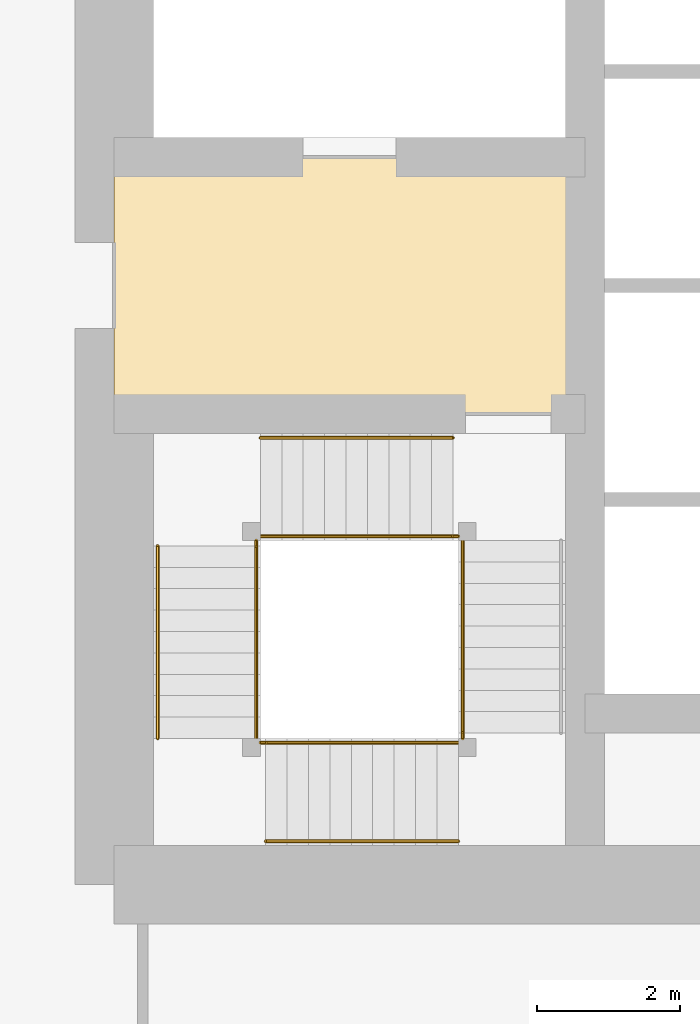
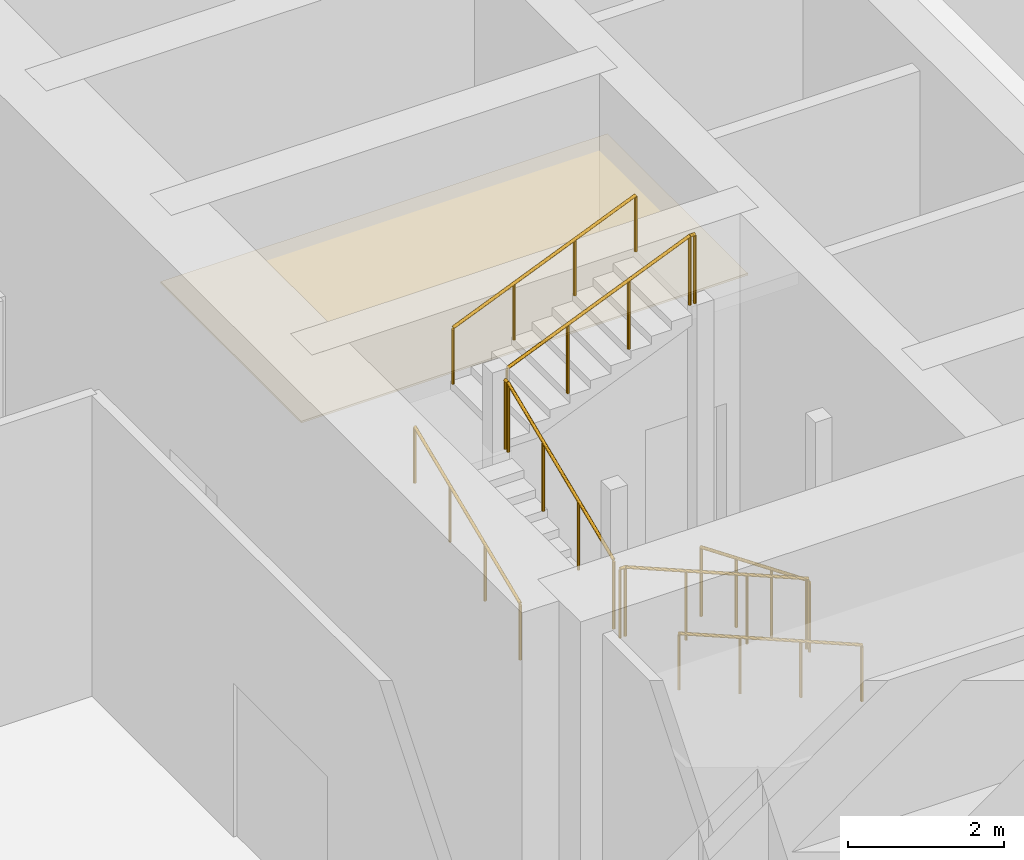
# One storey, part 42 of 49: 11 railings, 1 covering.
"""IFC4 building model written with IfcOpenShell, lengths in metres."""

from ifc_helpers import new_model, si_unit, direction, frame, origin, origin_2d, place, context, subcontext, project, spatial, polyline, circle, outline, extrude, material, layer, layer_set, type_object, element, save


model = new_model("IFC4")

# Units and contexts
model_context = context("Model", 3, precision=1e-05, world=origin(), true_north=direction((0.0, 1.0)))
body_context = subcontext(model_context, "Body", "Model", "MODEL_VIEW")
ifc_project = project(units=[si_unit("LENGTHUNIT", "METRE"), si_unit("AREAUNIT", "SQUARE_METRE"), si_unit("VOLUMEUNIT", "CUBIC_METRE"), si_unit("PLANEANGLEUNIT", "RADIAN"), si_unit("MASSUNIT", "GRAM", prefix="KILO")], contexts=[model_context])

# Site, building, storey
site_placement = place(None, origin())
site = spatial("IfcSite", under=ifc_project, at=site_placement, CompositionType="ELEMENT")
building_placement = place(site_placement, origin())
building = spatial("IfcBuilding", under=site, at=building_placement, Name="Rekha Terrace Tower", CompositionType="ELEMENT")
storey_placement = place(building_placement, frame((0.0, 0.0, 10.39990234375)))
storey = spatial("IfcBuildingStorey", under=building, at=storey_placement, Name="L02", CompositionType="ELEMENT", Elevation=10.39990234375)

# Covering
ifc_material_1 = material(Name="Powder-coated aluminium pan", Category="aluminium")
ifc_layer = layer(ifc_material_1, 0.030029296875)
ifc_layer_set = layer_set([ifc_layer], Name="Powder-coated aluminium pan")
covering_type = type_object("IfcCoveringType", Name="CL3 300x1200 metal pan ceiling", PredefinedType="CEILING", material=ifc_layer_set)
covering_placement = place(storey_placement, frame((0.0, 0.0, 3.77001953125)))
element("IfcCovering", 1, at=covering_placement, inside=storey, type_object=covering_type, Name="Ceiling L02-FLB1", PredefinedType="CEILING", context=body_context, shape_type="SweptSolid", body=[
    extrude(outline(polyline([(31.800048828125, 31.199951171875), (25.199951171875, 31.199951171875), (25.199951171875, 27.60009765625), (31.800048828125, 27.60009765625), (31.800048828125, 31.199951171875)])), origin(), (0.0, 0.0, 1.0), 0.030029296875),
])

# Railings
ifc_material_2 = material(Name="Stainless steel balustrade", Category="steel")
railing_type_1 = type_object("IfcRailingType", Name="GR1 1100 stair guard", PredefinedType="GUARDRAIL", material=ifc_material_2)
railing_1_placement = place(storey_placement, frame((30.0849609375, 25.824951171875, 0.125)))
element("IfcRailing", 2, at=railing_1_placement, inside=storey, type_object=railing_type_1, Name="Guard ST1 L02 flight 1", PredefinedType="GUARDRAIL", context=body_context, shape_type="SweptSolid", body=[
    extrude(circle(Radius=0.02392578125, at=origin_2d()), frame((0.0, 0.0, 1.076171875), z_axis=(0.0, -0.923074453586, 0.384621311341), x_axis=(1.0, 0.0, 0.0)), (0.0, 0.0, 1.0), 2.925048828125),
    extrude(circle(Radius=0.02099609375, at=origin_2d()), origin(), (0.0, 0.0, 1.0), 1.052001953125),
    extrude(circle(Radius=0.02099609375, at=origin_2d()), frame((0.0, -0.89990234375, 0.375)), (0.0, 0.0, 1.0), 1.052001953125),
    extrude(circle(Radius=0.02099609375, at=origin_2d()), frame((0.0, -1.800048828125, 0.75)), (0.0, 0.0, 1.0), 1.052001953125),
    extrude(circle(Radius=0.02099609375, at=origin_2d()), frame((0.0, -2.699951171875, 1.125)), (0.0, 0.0, 1.0), 1.052001953125),
])
railing_2_placement = place(storey_placement, frame((30.02490234375, 22.989990234375, 1.375)))
element("IfcRailing", 3, at=railing_2_placement, inside=storey, type_object=railing_type_1, Name="Guard ST1 L02 flight 2", PredefinedType="GUARDRAIL", context=body_context, shape_type="SweptSolid", body=[
    extrude(circle(Radius=0.02392578125, at=origin_2d()), frame((0.0, 0.0, 1.076171875), z_axis=(-0.923074453586, 0.0, 0.384621311341), x_axis=(0.0, -1.0, 0.0)), (0.0, 0.0, 1.0), 2.925048828125),
    extrude(circle(Radius=0.02099609375, at=origin_2d()), origin(), (0.0, 0.0, 1.0), 1.052001953125),
    extrude(circle(Radius=0.02099609375, at=origin_2d()), frame((-0.89990234375, 0.0, 0.375)), (0.0, 0.0, 1.0), 1.052001953125),
    extrude(circle(Radius=0.02099609375, at=origin_2d()), frame((-1.800048828125, 0.0, 0.75)), (0.0, 0.0, 1.0), 1.052001953125),
    extrude(circle(Radius=0.02099609375, at=origin_2d()), frame((-2.699951171875, 0.0, 1.125)), (0.0, 0.0, 1.0), 1.052001953125),
])
railing_3_placement = place(storey_placement, frame((27.18994140625, 23.050048828125, 2.625)))
element("IfcRailing", 4, at=railing_3_placement, inside=storey, type_object=railing_type_1, Name="Guard ST1 L02 flight 3", PredefinedType="GUARDRAIL", context=body_context, shape_type="SweptSolid", body=[
    extrude(circle(Radius=0.02392578125, at=origin_2d()), frame((0.0, 0.0, 1.076171875), z_axis=(0.0, 0.923074453586, 0.384621311341), x_axis=(-1.0, 0.0, 0.0)), (0.0, 0.0, 1.0), 2.925048828125),
    extrude(circle(Radius=0.02099609375, at=origin_2d()), origin(), (0.0, 0.0, 1.0), 1.052001953125),
    extrude(circle(Radius=0.02099609375, at=origin_2d()), frame((0.0, 0.89990234375, 0.375)), (0.0, 0.0, 1.0), 1.052001953125),
    extrude(circle(Radius=0.02099609375, at=origin_2d()), frame((0.0, 1.800048828125, 0.75)), (0.0, 0.0, 1.0), 1.052001953125),
    extrude(circle(Radius=0.02099609375, at=origin_2d()), frame((0.0, 2.699951171875, 1.125)), (0.0, 0.0, 1.0), 1.052001953125),
])
railing_4_placement = place(storey_placement, frame((27.25, 25.885009765625, 3.875)))
element("IfcRailing", 5, at=railing_4_placement, inside=storey, type_object=railing_type_1, Name="Guard ST1 L02 flight 4", PredefinedType="GUARDRAIL", context=body_context, shape_type="SweptSolid", body=[
    extrude(circle(Radius=0.02392578125, at=origin_2d()), frame((0.0, 0.0, 1.076171875), z_axis=(0.923074453586, 0.0, 0.384621311341), x_axis=(0.0, 1.0, 0.0)), (0.0, 0.0, 1.0), 2.925048828125),
    extrude(circle(Radius=0.02099609375, at=origin_2d()), origin(), (0.0, 0.0, 1.0), 1.052001953125),
    extrude(circle(Radius=0.02099609375, at=origin_2d()), frame((0.89990234375, 0.0, 0.375)), (0.0, 0.0, 1.0), 1.052001953125),
    extrude(circle(Radius=0.02099609375, at=origin_2d()), frame((1.800048828125, 0.0, 0.75)), (0.0, 0.0, 1.0), 1.052001953125),
    extrude(circle(Radius=0.02099609375, at=origin_2d()), frame((2.699951171875, 0.0, 1.125)), (0.0, 0.0, 1.0), 1.052001953125),
])
railing_5_placement = place(storey_placement, frame((30.0849609375, 23.125, 1.25)))
element("IfcRailing", 6, at=railing_5_placement, inside=storey, type_object=railing_type_1, Name="Guard ST1 L02 landing 1", PredefinedType="GUARDRAIL", context=body_context, shape_type="SweptSolid", body=[
    extrude(circle(Radius=0.02392578125, at=origin_2d()), frame((0.0, 0.0, 1.076171875), z_axis=(0.0, -1.0, 0.0), x_axis=(1.0, 0.0, 0.0)), (0.0, 0.0, 1.0), 0.074951171875),
    extrude(circle(Radius=0.02099609375, at=origin_2d()), origin(), (0.0, 0.0, 1.0), 1.052001953125),
    extrude(circle(Radius=0.02099609375, at=origin_2d()), frame((0.0, -0.074951171875, 0.0)), (0.0, 0.0, 1.0), 1.052001953125),
])
railing_6_placement = place(storey_placement, frame((27.324951171875, 22.989990234375, 2.5)))
element("IfcRailing", 7, at=railing_6_placement, inside=storey, type_object=railing_type_1, Name="Guard ST1 L02 landing 2", PredefinedType="GUARDRAIL", context=body_context, shape_type="SweptSolid", body=[
    extrude(circle(Radius=0.02392578125, at=origin_2d()), frame((0.0, 0.0, 1.076171875), z_axis=(-1.0, 0.0, 0.0), x_axis=(0.0, -1.0, 0.0)), (0.0, 0.0, 1.0), 0.074951171875),
    extrude(circle(Radius=0.02099609375, at=origin_2d()), origin(), (0.0, 0.0, 1.0), 1.052001953125),
    extrude(circle(Radius=0.02099609375, at=origin_2d()), frame((-0.074951171875, 0.0, 0.0)), (0.0, 0.0, 1.0), 1.052001953125),
])
railing_7_placement = place(storey_placement, frame((27.18994140625, 25.824951171875, 3.75)))
element("IfcRailing", 8, at=railing_7_placement, inside=storey, type_object=railing_type_1, Name="Guard ST1 L02 landing 3", PredefinedType="GUARDRAIL", context=body_context, shape_type="SweptSolid", body=[
    extrude(circle(Radius=0.02392578125, at=origin_2d()), frame((0.0, 0.0, 1.076171875), z_axis=(0.0, -1.0, 0.0), x_axis=(1.0, 0.0, 0.0)), (0.0, 0.0, 1.0), 0.074951171875),
    extrude(circle(Radius=0.02099609375, at=origin_2d()), origin(), (0.0, 0.0, 1.0), 1.052001953125),
    extrude(circle(Radius=0.02099609375, at=origin_2d()), frame((0.0, -0.074951171875, 0.0)), (0.0, 0.0, 1.0), 1.052001953125),
])
railing_8_placement = place(storey_placement, frame((30.02490234375, 25.885009765625, 5.0)))
element("IfcRailing", 9, at=railing_8_placement, inside=storey, type_object=railing_type_1, Name="Guard ST1 L02 landing 4", PredefinedType="GUARDRAIL", context=body_context, shape_type="SweptSolid", body=[
    extrude(circle(Radius=0.02392578125, at=origin_2d()), frame((0.0, 0.0, 1.076171875), z_axis=(-1.0, 0.0, 0.0), x_axis=(0.0, -1.0, 0.0)), (0.0, 0.0, 1.0), 0.074951171875),
    extrude(circle(Radius=0.02099609375, at=origin_2d()), origin(), (0.0, 0.0, 1.0), 1.052001953125),
    extrude(circle(Radius=0.02099609375, at=origin_2d()), frame((-0.074951171875, 0.0, 0.0)), (0.0, 0.0, 1.0), 1.052001953125),
])
ifc_material_3 = material(Name="Stainless steel tube", Category="steel")
railing_type_2 = type_object("IfcRailingType", Name="HR1 900 stair handrail", PredefinedType="HANDRAIL", material=ifc_material_3)
railing_9_placement = place(storey_placement, frame((30.02490234375, 21.610107421875, 1.375)))
element("IfcRailing", 10, at=railing_9_placement, inside=storey, type_object=railing_type_2, Name="Handrail ST1 L02 flight 2", PredefinedType="HANDRAIL", context=body_context, shape_type="SweptSolid", body=[
    extrude(circle(Radius=0.02392578125, at=origin_2d()), frame((0.0, 0.0, 0.8759765625), z_axis=(-0.923074453586, 0.0, 0.384621311341), x_axis=(0.0, -1.0, 0.0)), (0.0, 0.0, 1.0), 2.925048828125),
    extrude(circle(Radius=0.02099609375, at=origin_2d()), origin(), (0.0, 0.0, 1.0), 0.851806640625),
    extrude(circle(Radius=0.02099609375, at=origin_2d()), frame((-0.89990234375, 0.0, 0.375)), (0.0, 0.0, 1.0), 0.851806640625),
    extrude(circle(Radius=0.02099609375, at=origin_2d()), frame((-1.800048828125, 0.0, 0.75)), (0.0, 0.0, 1.0), 0.851806640625),
    extrude(circle(Radius=0.02099609375, at=origin_2d()), frame((-2.699951171875, 0.0, 1.125)), (0.0, 0.0, 1.0), 0.851806640625),
])
railing_10_placement = place(storey_placement, frame((25.81005859375, 23.050048828125, 2.625)))
element("IfcRailing", 11, at=railing_10_placement, inside=storey, type_object=railing_type_2, Name="Handrail ST1 L02 flight 3", PredefinedType="HANDRAIL", context=body_context, shape_type="SweptSolid", body=[
    extrude(circle(Radius=0.02392578125, at=origin_2d()), frame((0.0, 0.0, 0.8759765625), z_axis=(0.0, 0.923074453586, 0.384621311341), x_axis=(-1.0, 0.0, 0.0)), (0.0, 0.0, 1.0), 2.925048828125),
    extrude(circle(Radius=0.02099609375, at=origin_2d()), origin(), (0.0, 0.0, 1.0), 0.851806640625),
    extrude(circle(Radius=0.02099609375, at=origin_2d()), frame((0.0, 0.89990234375, 0.375)), (0.0, 0.0, 1.0), 0.851806640625),
    extrude(circle(Radius=0.02099609375, at=origin_2d()), frame((0.0, 1.800048828125, 0.75)), (0.0, 0.0, 1.0), 0.851806640625),
    extrude(circle(Radius=0.02099609375, at=origin_2d()), frame((0.0, 2.699951171875, 1.125)), (0.0, 0.0, 1.0), 0.851806640625),
])
railing_11_placement = place(storey_placement, frame((27.25, 27.264892578125, 3.875)))
element("IfcRailing", 12, at=railing_11_placement, inside=storey, type_object=railing_type_2, Name="Handrail ST1 L02 flight 4", PredefinedType="HANDRAIL", context=body_context, shape_type="SweptSolid", body=[
    extrude(circle(Radius=0.02392578125, at=origin_2d()), frame((0.0, 0.0, 0.8759765625), z_axis=(0.923074453586, 0.0, 0.384621311341), x_axis=(0.0, 1.0, 0.0)), (0.0, 0.0, 1.0), 2.925048828125),
    extrude(circle(Radius=0.02099609375, at=origin_2d()), origin(), (0.0, 0.0, 1.0), 0.851806640625),
    extrude(circle(Radius=0.02099609375, at=origin_2d()), frame((0.89990234375, 0.0, 0.375)), (0.0, 0.0, 1.0), 0.851806640625),
    extrude(circle(Radius=0.02099609375, at=origin_2d()), frame((1.800048828125, 0.0, 0.75)), (0.0, 0.0, 1.0), 0.851806640625),
    extrude(circle(Radius=0.02099609375, at=origin_2d()), frame((2.699951171875, 0.0, 1.125)), (0.0, 0.0, 1.0), 0.851806640625),
])

save(model, "model.ifc")
